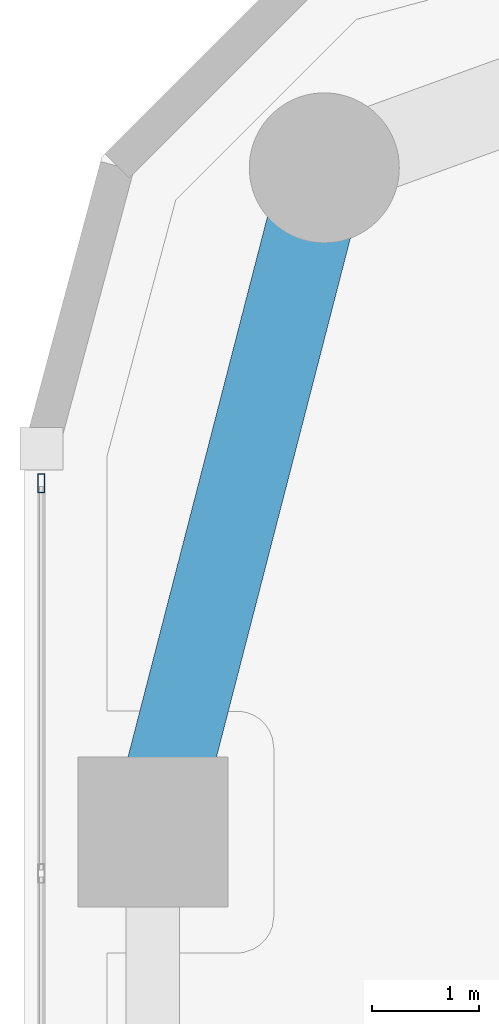
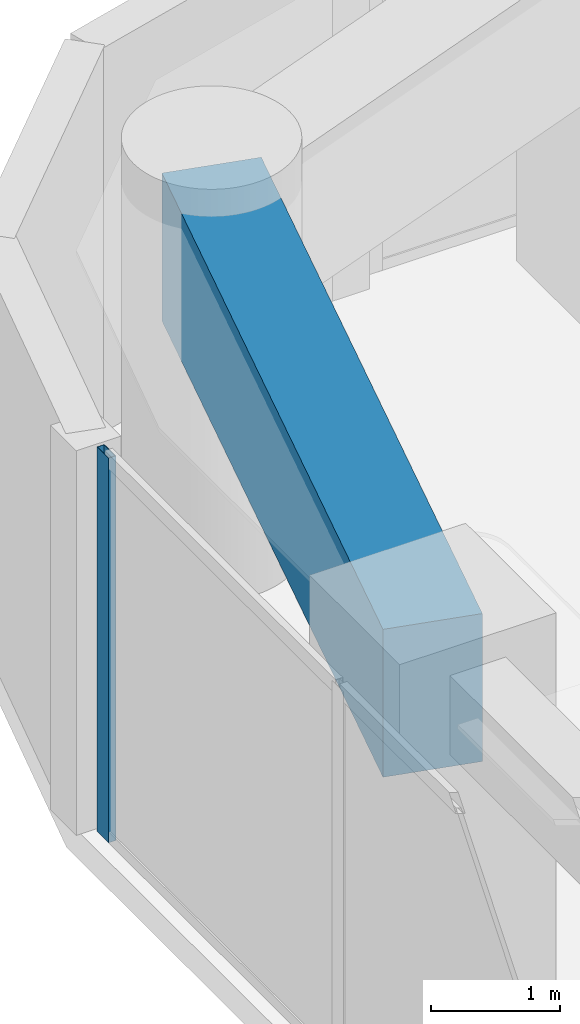
# One storey, part 11 of 24: 1 beam, 1 member, 1 element without a shape of its own.
"""IFC4 building model written with IfcOpenShell, lengths in metres."""

from ifc_helpers import new_model, si_unit, direction, frame, origin, origin_2d, place, context, subcontext, project, spatial, rectangle, hollow_rectangle, extrude, material, layer, layer_set, material_profile, profile_set, type_object, element, aggregate, save


model = new_model("IFC4")

# Units and contexts
model_context = context("Model", 3, precision=1e-05, world=origin(), true_north=direction((0.0, 1.0)))
body_context = subcontext(model_context, "Body", "Model", "MODEL_VIEW")
ifc_project = project(units=[si_unit("LENGTHUNIT", "METRE"), si_unit("AREAUNIT", "SQUARE_METRE"), si_unit("VOLUMEUNIT", "CUBIC_METRE"), si_unit("PLANEANGLEUNIT", "RADIAN"), si_unit("MASSUNIT", "GRAM", prefix="KILO")], contexts=[model_context])

# Site, building, storey
site_placement = place(None, origin())
site = spatial("IfcSite", under=ifc_project, at=site_placement, CompositionType="ELEMENT")
building_placement = place(site_placement, origin())
building = spatial("IfcBuilding", under=site, at=building_placement, Name="Kiyonajd Concourse Tower", CompositionType="ELEMENT")
storey_placement = place(building_placement, frame((0.0, 0.0, 109.199951171875)))
storey = spatial("IfcBuildingStorey", under=building, at=storey_placement, Name="L28", CompositionType="ELEMENT", Elevation=109.199951171875)

# Beam
ifc_material_1 = material(Name="Concrete C60/75", Category="concrete")
ifc_material_profile_1 = material_profile(ifc_material_1, rectangle(XDim=0.800048828125, YDim=1.39990234375, at=origin_2d()), Name="RCBM-800x1400")
ifc_profile_set_1 = profile_set([ifc_material_profile_1], Name="Concrete C60/75")
beam_type = type_object("IfcBeamType", Name="BM-XFER-RC", PredefinedType="BEAM", material=ifc_profile_set_1)
beam_placement = place(storey_placement, frame((20.800048828125, 59.60009765625, 2.93994140625), z_axis=(-0.249884937687, -0.968275538221, 0.0), x_axis=(0.968275538221, -0.249884937687, 0.0)))
element("IfcBeam", 1, at=beam_placement, inside=storey, type_object=beam_type, Name="L28 Perimeter Bundled Tube Spandrel", PredefinedType="BEAM", context=body_context, shape_type="SweptSolid", body=[
    extrude(rectangle(XDim=0.800048828125, YDim=1.39990234375, at=origin_2d()), origin(), (0.0, 0.0, 1.0), 6.4033203125),
])

# Curtain wall, member
ifc_material_2 = material(Name="Thermally Broken Anodised Aluminium", Category="aluminium")
ifc_layer = layer(ifc_material_2, 0.179931640625)
ifc_layer_set = layer_set([ifc_layer], Name="Thermally Broken Anodised Aluminium")
curtain_wall_type = type_object("IfcCurtainWallType", Name="CW-SYS-03", PredefinedType="NOTDEFINED", material=ifc_layer_set)
curtain_wall_placement = place(storey_placement, origin())
curtain_wall = element("IfcCurtainWall", 2, at=curtain_wall_placement, inside=storey, type_object=curtain_wall_type, Name="L28 Unitised Curtain Wall CW3", PredefinedType="NOTDEFINED")
ifc_material_profile_2 = material_profile(ifc_material_2, hollow_rectangle(XDim=0.06494140625, YDim=0.179931640625, WallThickness=0.00390625, at=origin_2d()), Name="MULL-65x180")
ifc_profile_set_2 = profile_set([ifc_material_profile_2], Name="Thermally Broken Anodised Aluminium")
member_type = type_object("IfcMemberType", Name="MB-CW-MULL1", PredefinedType="MULLION", material=ifc_profile_set_2)
member_placement = place(storey_placement, frame((18.159912109375, 56.656494140625, 0.0), z_axis=(0.0, 0.0, 1.0), x_axis=(-1.0, 0.0, 0.0)))
member = element("IfcMember", 3, at=member_placement, type_object=member_type, Name="CW3 mullion 7", PredefinedType="MULLION", context=body_context, shape_type="SweptSolid", body=[
    extrude(hollow_rectangle(XDim=0.06494140625, YDim=0.179931640625, WallThickness=0.00390625, at=origin_2d()), origin(), (0.0, 0.0, 1.0), 3.64013671875),
])
aggregate(curtain_wall, [member])

save(model, "model.ifc")
